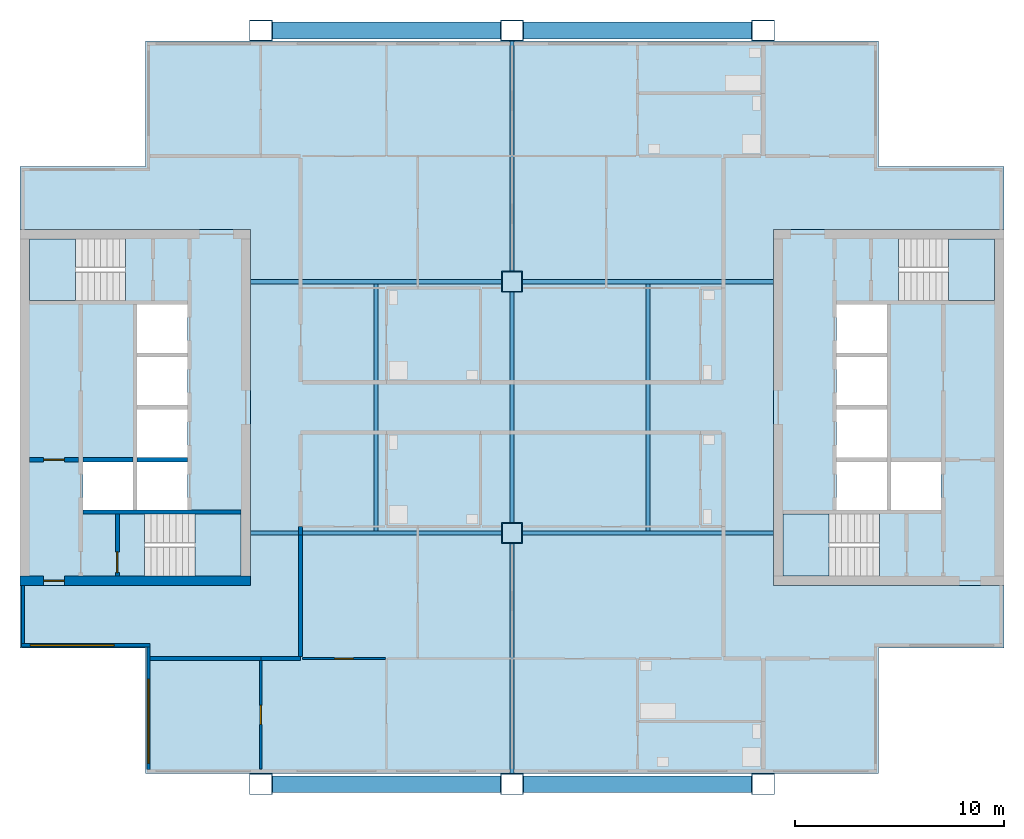
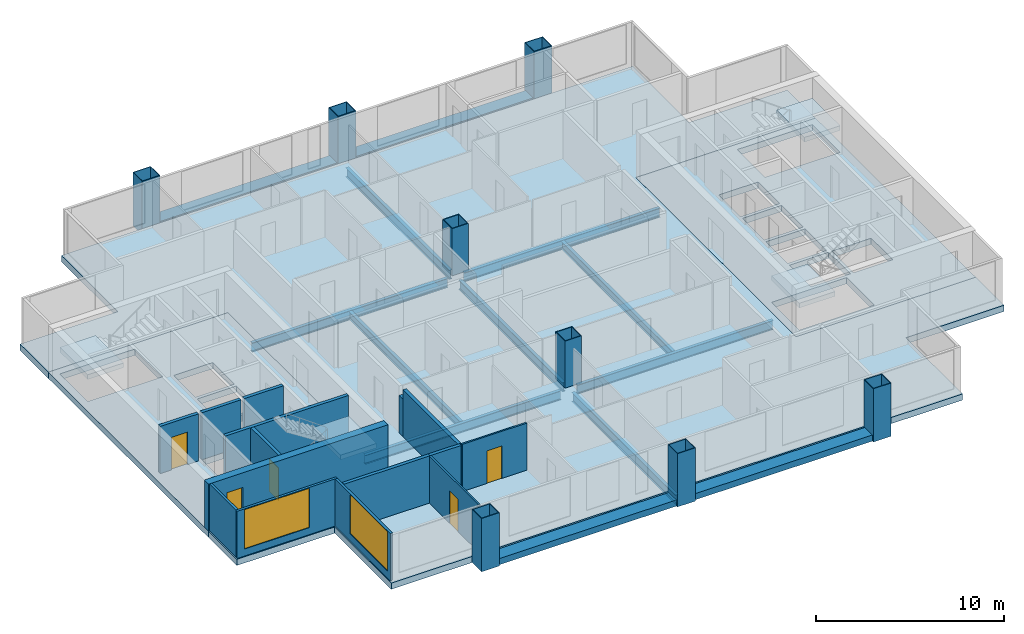
# One storey, part 1 of 8: 15 walls, 13 beams, 8 columns, 7 slabs, 5 doors, 2 windows, 7 openings, 4 elements without a shape of their own.
"""IFC4 building model written with IfcOpenShell, lengths in metres."""

from ifc_helpers import new_model, si_unit, direction, frame, frame_2d, origin, origin_2d, place, context, subcontext, project, spatial, polyline, rectangle, hollow_rectangle, i_section, outline, extrude, material, layer, layer_set, material_profile, profile_set, type_object, element, fill, aggregate, save


model = new_model("IFC4")

# Units and contexts
model_context = context("Model", 3, precision=1e-05, world=origin(), true_north=direction((0.0, 1.0)))
body_context = subcontext(model_context, "Body", "Model", "MODEL_VIEW")
ifc_project = project(units=[si_unit("LENGTHUNIT", "METRE"), si_unit("AREAUNIT", "SQUARE_METRE"), si_unit("VOLUMEUNIT", "CUBIC_METRE"), si_unit("PLANEANGLEUNIT", "RADIAN"), si_unit("MASSUNIT", "GRAM", prefix="KILO")], contexts=[model_context])

# Site, building, storey
site_placement = place(None, origin())
site = spatial("IfcSite", under=ifc_project, at=site_placement, CompositionType="ELEMENT")
building_placement = place(site_placement, origin())
building = spatial("IfcBuilding", under=site, at=building_placement, Name="Kitamizu Gate Tower and Museum", CompositionType="ELEMENT")
storey_placement = place(building_placement, frame((0.0, 0.0, 235.199951171875)))
storey = spatial("IfcBuildingStorey", under=building, at=storey_placement, Name="L63", CompositionType="ELEMENT", Elevation=235.199951171875)

# Columns
ifc_material_1 = material(Name="Steel SM490A bronze coated", Category="steel")
ifc_material_profile_1 = material_profile(ifc_material_1, hollow_rectangle(XDim=1.10009765625, YDim=1.0, WallThickness=0.0400390625, at=origin_2d()), Name="BOX 1100x1000x40")
ifc_profile_set_1 = profile_set([ifc_material_profile_1], Name="Steel SM490A bronze coated")
column_type_1 = type_object("IfcColumnType", Name="Exoskeleton column XC8 BOX 1100x1000x40", PredefinedType="COLUMN", material=ifc_profile_set_1)
for number, where, z_axis, x_axis, name in (
    (1, (24.0, 12.0, -0.39990234375), (0.0, 0.0, 1.0), (1.0, 0.0, 0.0), "Column XC8 3B L63"),
    (2, (24.0, 48.0, -0.39990234375), (0.0, 0.0, 1.0), (1.0, 0.0, 0.0), "Column XC8 3E L63"),
    (3, (36.0, 12.0, -0.39990234375), (0.0, 0.0, 1.0), (1.0, 0.0, 0.0), "Column XC8 4B L63"),
    (4, (36.0, 48.0, -0.39990234375), (0.0, 0.0, 1.0), (1.0, 0.0, 0.0), "Column XC8 4E L63"),
    (5, (48.0, 12.0, -0.39990234375), (0.0, 0.0, 1.0), (1.0, 0.0, 0.0), "Column XC8 5B L63"),
    (6, (48.0, 48.0, -0.39990234375), (0.0, 0.0, 1.0), (1.0, 0.0, 0.0), "Column XC8 5E L63"),
):
    element("IfcColumn", number, at=place(storey_placement, frame(where, z_axis=z_axis, x_axis=x_axis)), inside=storey, type_object=column_type_1, Name=name, PredefinedType="COLUMN", context=body_context, shape_type="SweptSolid", body=[
        extrude(hollow_rectangle(XDim=1.10009765625, YDim=1.0, WallThickness=0.0400390625, at=origin_2d()), origin(), (0.0, 0.0, 1.0), 3.449951171875),
    ])
ifc_material_2 = material(Name="Steel SM490A", Category="steel")
ifc_material_profile_2 = material_profile(ifc_material_2, hollow_rectangle(XDim=1.0, YDim=1.0, WallThickness=0.0400390625, at=origin_2d()), Name="BOX 1000x1000x40")
ifc_profile_set_2 = profile_set([ifc_material_profile_2], Name="Steel SM490A")
column_type_2 = type_object("IfcColumnType", Name="Interior column IC5 BOX 1000x1000x40", PredefinedType="COLUMN", material=ifc_profile_set_2)
for number, where, z_axis, x_axis, name in (
    (7, (36.0, 24.0, 0.0), (0.0, 0.0, 1.0), (1.0, 0.0, 0.0), "Column IC5 4C L63"),
    (8, (36.0, 36.0, 0.0), (0.0, 0.0, 1.0), (1.0, 0.0, 0.0), "Column IC5 4D L63"),
):
    element("IfcColumn", number, at=place(storey_placement, frame(where, z_axis=z_axis, x_axis=x_axis)), inside=storey, type_object=column_type_2, Name=name, PredefinedType="COLUMN", context=body_context, shape_type="SweptSolid", body=[
        extrude(hollow_rectangle(XDim=1.0, YDim=1.0, WallThickness=0.0400390625, at=origin_2d()), origin(), (0.0, 0.0, 1.0), 3.050048828125),
    ])

# Beams
ifc_material_3 = material(Name="Steel SM490A bronze coated", Category="steel")
ifc_material_profile_3 = material_profile(ifc_material_3, hollow_rectangle(XDim=0.800048828125, YDim=0.39990234375, WallThickness=0.0400390625, at=origin_2d()), Name="BOX 800x400x40")
ifc_profile_set_3 = profile_set([ifc_material_profile_3], Name="Steel SM490A bronze coated")
beam_type_1 = type_object("IfcBeamType", Name="Exoskeleton spandrel beam SB1 BOX 800x400x40", PredefinedType="SPANDREL", material=ifc_profile_set_3)
for number, where, z_axis, x_axis, name in (
    (9, (24.550048828125, 12.0, -0.199951171875), (1.0, 0.0, 0.0), (0.0, 1.0, 0.0), "Exoskeleton spandrel beam south 24 L63"),
    (10, (36.550048828125, 12.0, -0.199951171875), (1.0, 0.0, 0.0), (0.0, 1.0, 0.0), "Exoskeleton spandrel beam south 36 L63"),
    (11, (24.550048828125, 48.0, -0.199951171875), (1.0, 0.0, 0.0), (0.0, 1.0, 0.0), "Exoskeleton spandrel beam north 24 L63"),
    (12, (36.550048828125, 48.0, -0.199951171875), (1.0, 0.0, 0.0), (0.0, 1.0, 0.0), "Exoskeleton spandrel beam north 36 L63"),
):
    element("IfcBeam", number, at=place(storey_placement, frame(where, z_axis=z_axis, x_axis=x_axis)), inside=storey, type_object=beam_type_1, Name=name, PredefinedType="SPANDREL", context=body_context, shape_type="SweptSolid", body=[
        extrude(hollow_rectangle(XDim=0.800048828125, YDim=0.39990234375, WallThickness=0.0400390625, at=origin_2d()), origin(), (0.0, 0.0, 1.0), 10.89990234375),
    ])
ifc_material_4 = material(Name="Steel SM490A", Category="steel")
ifc_material_profile_4 = material_profile(ifc_material_4, i_section(OverallWidth=0.199951171875, OverallDepth=0.5, WebThickness=0.010009765625, FlangeThickness=0.01611328125, FilletRadius=0.02001953125, at=origin_2d()), Name="H-500x200x10x16")
ifc_profile_set_4 = profile_set([ifc_material_profile_4], Name="Steel SM490A")
beam_type_2 = type_object("IfcBeamType", Name="Floor beam FB1 H 500x200x10x16", PredefinedType="BEAM", material=ifc_profile_set_4)
for number, where, z_axis, x_axis, name in (
    (13, (29.5, 24.10009765625, -0.64990234375), (0.0, 1.0, 0.0), (-1.0, 0.0, 0.0), "Floor beam FB1 L63-1"),
    (14, (42.5, 24.10009765625, -0.64990234375), (0.0, 1.0, 0.0), (-1.0, 0.0, 0.0), "Floor beam FB1 L63-2"),
):
    element("IfcBeam", number, at=place(storey_placement, frame(where, z_axis=z_axis, x_axis=x_axis)), inside=storey, type_object=beam_type_2, Name=name, PredefinedType="BEAM", context=body_context, shape_type="SweptSolid", body=[
        extrude(i_section(OverallWidth=0.199951171875, OverallDepth=0.5, WebThickness=0.010009765625, FlangeThickness=0.01611328125, FilletRadius=0.02001953125, at=origin_2d()), origin(), (0.0, 0.0, 1.0), 11.7998046875),
    ])
ifc_material_5 = material(Name="Steel SM490A", Category="steel")
ifc_material_profile_5 = material_profile(ifc_material_5, i_section(OverallWidth=0.199951171875, OverallDepth=0.60009765625, WebThickness=0.010986328125, FlangeThickness=0.01708984375, FilletRadius=0.02197265625, at=origin_2d()), Name="H-600x200x11x17")
ifc_profile_set_5 = profile_set([ifc_material_profile_5], Name="Steel SM490A")
beam_type_3 = type_object("IfcBeamType", Name="Floor girder FG1 H 600x200x11x17", PredefinedType="BEAM", material=ifc_profile_set_5)
for number, where, z_axis, x_axis, name in (
    (15, (36.0, 12.5, -0.699951171875), (0.0, 1.0, 0.0), (-1.0, 0.0, 0.0), "Floor girder FG1 x36 L63"),
    (16, (36.0, 24.5, -0.699951171875), (0.0, 1.0, 0.0), (-1.0, 0.0, 0.0), "Floor girder FG1 x36 L63"),
    (17, (36.0, 36.5, -0.699951171875), (0.0, 1.0, 0.0), (-1.0, 0.0, 0.0), "Floor girder FG1 x36 L63"),
):
    element("IfcBeam", number, at=place(storey_placement, frame(where, z_axis=z_axis, x_axis=x_axis)), inside=storey, type_object=beam_type_3, Name=name, PredefinedType="BEAM", context=body_context, shape_type="SweptSolid", body=[
        extrude(i_section(OverallWidth=0.199951171875, OverallDepth=0.60009765625, WebThickness=0.010986328125, FlangeThickness=0.01708984375, FilletRadius=0.02197265625, at=origin_2d()), origin(), (0.0, 0.0, 1.0), 11.0),
    ])
for number, where, z_axis, x_axis, name in (
    (18, (23.5, 24.0, -0.699951171875), (1.0, 0.0, 0.0), (0.0, 1.0, 0.0), "Floor girder FG1 y24 L63"),
    (19, (36.5, 24.0, -0.699951171875), (1.0, 0.0, 0.0), (0.0, 1.0, 0.0), "Floor girder FG1 y24 L63"),
    (20, (23.5, 36.0, -0.699951171875), (1.0, 0.0, 0.0), (0.0, 1.0, 0.0), "Floor girder FG1 y36 L63"),
    (21, (36.5, 36.0, -0.699951171875), (1.0, 0.0, 0.0), (0.0, 1.0, 0.0), "Floor girder FG1 y36 L63"),
):
    element("IfcBeam", number, at=place(storey_placement, frame(where, z_axis=z_axis, x_axis=x_axis)), inside=storey, type_object=beam_type_3, Name=name, PredefinedType="BEAM", context=body_context, shape_type="SweptSolid", body=[
        extrude(i_section(OverallWidth=0.199951171875, OverallDepth=0.60009765625, WebThickness=0.010986328125, FlangeThickness=0.01708984375, FilletRadius=0.02197265625, at=origin_2d()), origin(), (0.0, 0.0, 1.0), 12.0),
    ])

# Slabs
ifc_material_6 = material(Name="Concrete Fc36", Category="concrete")
ifc_layer_1 = layer(ifc_material_6, 0.39990234375)
ifc_layer_set_1 = layer_set([ifc_layer_1], Name="Concrete Fc36")
slab_type_1 = type_object("IfcSlabType", Name="Core floor slab 400", PredefinedType="FLOOR", material=ifc_layer_set_1)
slab_1_placement = place(storey_placement, frame((0.0, 0.0, -0.39990234375)))
element("IfcSlab", 22, at=slab_1_placement, inside=storey, type_object=slab_type_1, Name="Core floor slab W", PredefinedType="FLOOR", context=body_context, shape_type="SweptSolid", body=[
    extrude(outline(polyline([(12.5, 21.5), (23.5, 21.5), (23.5, 38.5), (12.5, 38.5), (12.5, 21.5)]), holes=[polyline([(15.5, 25.10009765625), (17.89990234375, 25.10009765625), (17.89990234375, 27.39990234375), (15.5, 27.39990234375), (15.5, 25.10009765625)]), polyline([(18.10009765625, 25.10009765625), (20.5, 25.10009765625), (20.5, 27.39990234375), (18.10009765625, 27.39990234375), (18.10009765625, 25.10009765625)]), polyline([(18.10009765625, 27.60009765625), (20.5, 27.60009765625), (20.5, 29.89990234375), (18.10009765625, 29.89990234375), (18.10009765625, 27.60009765625)]), polyline([(18.10009765625, 30.10009765625), (20.5, 30.10009765625), (20.5, 32.39990234375), (18.10009765625, 32.39990234375), (18.10009765625, 30.10009765625)]), polyline([(18.10009765625, 32.60009765625), (20.5, 32.60009765625), (20.5, 34.89990234375), (18.10009765625, 34.89990234375), (18.10009765625, 32.60009765625)]), polyline([(18.45068359375, 21.949951171875), (23.050048828125, 21.949951171875), (23.050048828125, 24.89990234375), (18.45068359375, 24.89990234375), (18.45068359375, 21.949951171875)]), polyline([(12.949951171875, 35.10009765625), (17.54931640625, 35.10009765625), (17.54931640625, 38.050048828125), (12.949951171875, 38.050048828125), (12.949951171875, 35.10009765625)])]), origin(), (0.0, 0.0, 1.0), 0.39990234375),
])
slab_2_placement = place(storey_placement, frame((0.0, 0.0, -0.39990234375)))
element("IfcSlab", 23, at=slab_2_placement, inside=storey, type_object=slab_type_1, Name="Core floor slab E", PredefinedType="FLOOR", context=body_context, shape_type="SweptSolid", body=[
    extrude(outline(polyline([(48.5, 21.5), (59.5, 21.5), (59.5, 38.5), (48.5, 38.5), (48.5, 21.5)]), holes=[polyline([(54.10009765625, 25.10009765625), (56.5, 25.10009765625), (56.5, 27.39990234375), (54.10009765625, 27.39990234375), (54.10009765625, 25.10009765625)]), polyline([(51.5, 25.10009765625), (53.89990234375, 25.10009765625), (53.89990234375, 27.39990234375), (51.5, 27.39990234375), (51.5, 25.10009765625)]), polyline([(51.5, 27.60009765625), (53.89990234375, 27.60009765625), (53.89990234375, 29.89990234375), (51.5, 29.89990234375), (51.5, 27.60009765625)]), polyline([(51.5, 30.10009765625), (53.89990234375, 30.10009765625), (53.89990234375, 32.39990234375), (51.5, 32.39990234375), (51.5, 30.10009765625)]), polyline([(51.5, 32.60009765625), (53.89990234375, 32.60009765625), (53.89990234375, 34.89990234375), (51.5, 34.89990234375), (51.5, 32.60009765625)]), polyline([(48.949951171875, 21.949951171875), (53.54931640625, 21.949951171875), (53.54931640625, 24.89990234375), (48.949951171875, 24.89990234375), (48.949951171875, 21.949951171875)]), polyline([(54.45068359375, 35.10009765625), (59.050048828125, 35.10009765625), (59.050048828125, 38.050048828125), (54.45068359375, 38.050048828125), (54.45068359375, 35.10009765625)])]), origin(), (0.0, 0.0, 1.0), 0.39990234375),
])
ifc_material_7 = material(Name="Concrete Fc36", Category="concrete")
ifc_layer_2 = layer(ifc_material_7, 0.39990234375)
ifc_layer_set_2 = layer_set([ifc_layer_2], Name="Concrete Fc36")
slab_type_2 = type_object("IfcSlabType", Name="Post tensioned flat slab 400", PredefinedType="FLOOR", material=ifc_layer_set_2)
slab_3_placement = place(storey_placement, frame((0.0, 0.0, -0.39990234375)))
element("IfcSlab", 24, at=slab_3_placement, inside=storey, type_object=slab_type_2, Name="Floor slab L63-1", PredefinedType="FLOOR", context=body_context, shape_type="SweptSolid", body=[
    extrude(outline(polyline([(12.5, 18.5), (12.5, 21.5), (23.5, 21.5), (23.5, 38.5), (12.5, 38.5), (12.5, 41.5), (18.5, 41.5), (18.5, 47.5), (53.5, 47.5), (53.5, 41.5), (59.5, 41.5), (59.5, 38.5), (48.5, 38.5), (48.5, 21.5), (59.5, 21.5), (59.5, 18.5), (53.5, 18.5), (53.5, 12.5), (18.5, 12.5), (18.5, 18.5), (12.5, 18.5)])), origin(), (0.0, 0.0, 1.0), 0.39990234375),
])

# Stair, slab
ifc_material_8 = material(Name="Concrete Fc42", Category="concrete")
stair_type = type_object("IfcStairType", Name="Exit stair 1375 wide 192 rise 300 going", PredefinedType="HALF_TURN_STAIR", material=ifc_material_8)
stair_1_placement = place(storey_placement, origin())
stair_1 = element("IfcStair", 25, at=stair_1_placement, inside=storey, type_object=stair_type, Name="Exit stair ST1", PredefinedType="HALF_TURN_STAIR")
ifc_material_9 = material(Name="Concrete Fc42", Category="concrete")
ifc_layer_3 = layer(ifc_material_9, 0.300048828125)
ifc_layer_set_3 = layer_set([ifc_layer_3], Name="Concrete Fc42")
slab_type_3 = type_object("IfcSlabType", Name="Stair landing 300", PredefinedType="LANDING", material=ifc_layer_set_3)
slab_4_placement = place(storey_placement, frame((0.0, 0.0, 1.425048828125)))
slab_4 = element("IfcSlab", 26, at=slab_4_placement, type_object=slab_type_3, Name="ST1 landing 1", PredefinedType="LANDING", context=body_context, shape_type="SweptSolid", body=[
    extrude(outline(polyline([(20.85009765625, 21.949951171875), (23.050048828125, 21.949951171875), (23.050048828125, 24.89990234375), (20.85009765625, 24.89990234375), (20.85009765625, 21.949951171875)])), origin(), (0.0, 0.0, 1.0), 0.300048828125),
])
aggregate(stair_1, [slab_4])

stair_2_placement = place(storey_placement, origin())
stair_2 = element("IfcStair", 27, at=stair_2_placement, inside=storey, type_object=stair_type, Name="Exit stair ST2", PredefinedType="HALF_TURN_STAIR")
slab_5_placement = place(storey_placement, frame((0.0, 0.0, 1.425048828125)))
slab_5 = element("IfcSlab", 28, at=slab_5_placement, type_object=slab_type_3, Name="ST2 landing 1", PredefinedType="LANDING", context=body_context, shape_type="SweptSolid", body=[
    extrude(outline(polyline([(12.949951171875, 35.10009765625), (15.14990234375, 35.10009765625), (15.14990234375, 38.050048828125), (12.949951171875, 38.050048828125), (12.949951171875, 35.10009765625)])), origin(), (0.0, 0.0, 1.0), 0.300048828125),
])
aggregate(stair_2, [slab_5])

stair_3_placement = place(storey_placement, origin())
stair_3 = element("IfcStair", 29, at=stair_3_placement, inside=storey, type_object=stair_type, Name="Exit stair ST3", PredefinedType="HALF_TURN_STAIR")
slab_6_placement = place(storey_placement, frame((0.0, 0.0, 1.425048828125)))
slab_6 = element("IfcSlab", 30, at=slab_6_placement, type_object=slab_type_3, Name="ST3 landing 1", PredefinedType="LANDING", context=body_context, shape_type="SweptSolid", body=[
    extrude(outline(polyline([(48.949951171875, 21.949951171875), (51.14990234375, 21.949951171875), (51.14990234375, 24.89990234375), (48.949951171875, 24.89990234375), (48.949951171875, 21.949951171875)])), origin(), (0.0, 0.0, 1.0), 0.300048828125),
])
aggregate(stair_3, [slab_6])

stair_4_placement = place(storey_placement, origin())
stair_4 = element("IfcStair", 31, at=stair_4_placement, inside=storey, type_object=stair_type, Name="Exit stair ST4", PredefinedType="HALF_TURN_STAIR")
slab_7_placement = place(storey_placement, frame((0.0, 0.0, 1.425048828125)))
slab_7 = element("IfcSlab", 32, at=slab_7_placement, type_object=slab_type_3, Name="ST4 landing 1", PredefinedType="LANDING", context=body_context, shape_type="SweptSolid", body=[
    extrude(outline(polyline([(56.85009765625, 35.10009765625), (59.050048828125, 35.10009765625), (59.050048828125, 38.050048828125), (56.85009765625, 38.050048828125), (56.85009765625, 35.10009765625)])), origin(), (0.0, 0.0, 1.0), 0.300048828125),
])
aggregate(stair_4, [slab_7])

# Wall, opening, door
ifc_material_10 = material(Name="Concrete Fc42", Category="concrete")
ifc_layer_4 = layer(ifc_material_10, 0.449951171875)
ifc_layer_set_4 = layer_set([ifc_layer_4], Name="Concrete Fc42")
wall_type_1 = type_object("IfcWallType", Name="Core wall 450", PredefinedType="SHEAR", material=ifc_layer_set_4)
wall_1_placement = place(storey_placement, frame((12.5, 21.72509765625, 0.0), z_axis=(0.0, 0.0, 1.0), x_axis=(1.0, 0.0, 0.0)))
wall_1 = element("IfcWall", 33, at=wall_1_placement, inside=storey, type_object=wall_type_1, Name="Core wall WS", PredefinedType="SHEAR", context=body_context, shape_type="SweptSolid", body=[
    extrude(rectangle(XDim=11.0, YDim=0.449951171875, at=frame_2d((5.5, 0.0))), origin(), (0.0, 0.0, 1.0), 3.050048828125),
])
opening_1_placement = place(wall_1_placement, frame((1.125, 0.0, 0.0)))
opening_1 = element("IfcOpeningElement", 34, at=opening_1_placement, cuts=wall_1, Name="Opening L63-035", PredefinedType="OPENING", context=body_context, shape_type="SweptSolid", body=[
    extrude(rectangle(XDim=1.0, YDim=2.10009765625, at=frame_2d((0.5, 1.050048828125))), frame((0.0, 0.23486328125, 0.0), z_axis=(0.0, -1.0, 0.0), x_axis=(1.0, 0.0, 0.0)), (0.0, 0.0, 1.0), 0.469970703125),
])
ifc_material_11 = material(Name="Hollow metal door set")
door_type_1 = type_object("IfcDoorType", Name="Fire door 1000", OperationType="NOTDEFINED", PredefinedType="DOOR", material=ifc_material_11)
door_1_placement = place(opening_1_placement, origin())
door_1 = element("IfcDoor", 35, at=door_1_placement, inside=storey, type_object=door_type_1, Name="Fire-fighting lobby door L63-035", OperationType="SINGLE_SWING_RIGHT", OverallHeight=2.10009765625, OverallWidth=1.0, PredefinedType="DOOR", context=body_context, shape_type="SweptSolid", body=[
    extrude(rectangle(XDim=1.0, YDim=2.10009765625, at=frame_2d((0.5, 1.050048828125))), frame((0.0, 0.02490234375, 0.0), z_axis=(0.0, -1.0, 0.0), x_axis=(1.0, 0.0, 0.0)), (0.0, 0.0, 1.0), 0.050048828125),
])
fill(opening_1, door_1)

ifc_material_12 = material(Name="Gypsum board on galvanised stud")
ifc_layer_5 = layer(ifc_material_12, 0.10009765625)
ifc_layer_set_5 = layer_set([ifc_layer_5], Name="Gypsum board on galvanised stud")
wall_type_2 = type_object("IfcWallType", Name="Partition 100 NOT RATED", PredefinedType="PARTITIONING", material=ifc_layer_set_5)
wall_2_placement = place(storey_placement, frame((24.0, 12.719970703125, 0.0), z_axis=(0.0, 0.0, 1.0), x_axis=(0.0, 1.0, 0.0)))
wall_2 = element("IfcWall", 36, at=wall_2_placement, inside=storey, type_object=wall_type_2, Name="Partition L63-001", PredefinedType="PARTITIONING", context=body_context, shape_type="SweptSolid", body=[
    extrude(rectangle(XDim=5.179931640625, YDim=0.10009765625, at=frame_2d((2.58984375, 0.0))), origin(), (0.0, 0.0, 1.0), 3.050048828125),
])
opening_2_placement = place(wall_2_placement, frame((2.139892578125, 0.0, 0.0)))
opening_2 = element("IfcOpeningElement", 37, at=opening_2_placement, cuts=wall_2, Name="Opening L63-006", PredefinedType="OPENING", context=body_context, shape_type="SweptSolid", body=[
    extrude(rectangle(XDim=0.89990234375, YDim=2.10009765625, at=frame_2d((0.449951171875, 1.050048828125))), frame((0.0, 0.06005859375, 0.0), z_axis=(0.0, -1.0, 0.0), x_axis=(1.0, 0.0, 0.0)), (0.0, 0.0, 1.0), 0.1201171875),
])
ifc_material_13 = material(Name="Timber door set", Category="wood")
door_type_2 = type_object("IfcDoorType", Name="Room door 900", OperationType="NOTDEFINED", PredefinedType="DOOR", material=ifc_material_13)
door_2_placement = place(opening_2_placement, origin())
door_2 = element("IfcDoor", 38, at=door_2_placement, inside=storey, type_object=door_type_2, Name="Door L63-006", OperationType="SINGLE_SWING_LEFT", OverallHeight=2.10009765625, OverallWidth=0.89990234375, PredefinedType="DOOR", context=body_context, shape_type="SweptSolid", body=[
    extrude(rectangle(XDim=0.89990234375, YDim=2.10009765625, at=frame_2d((0.449951171875, 1.050048828125))), frame((0.0, 0.02490234375, 0.0), z_axis=(0.0, -1.0, 0.0), x_axis=(1.0, 0.0, 0.0)), (0.0, 0.0, 1.0), 0.050048828125),
])
fill(opening_2, door_2)

wall_3_placement = place(storey_placement, frame((29.949951171875, 18.0, 0.0), z_axis=(0.0, 0.0, 1.0), x_axis=(-1.0, 0.0, 0.0)))
wall_3 = element("IfcWall", 39, at=wall_3_placement, inside=storey, type_object=wall_type_2, Name="Partition L63-004", PredefinedType="PARTITIONING", context=body_context, shape_type="SweptSolid", body=[
    extrude(rectangle(XDim=3.949951171875, YDim=0.10009765625, at=frame_2d((1.97509765625, 0.0))), origin(), (0.0, 0.0, 1.0), 3.050048828125),
])
opening_3_placement = place(wall_3_placement, frame((1.52490234375, 0.0, 0.0)))
opening_3 = element("IfcOpeningElement", 40, at=opening_3_placement, cuts=wall_3, Name="Opening L63-003", PredefinedType="OPENING", context=body_context, shape_type="SweptSolid", body=[
    extrude(rectangle(XDim=0.89990234375, YDim=2.10009765625, at=frame_2d((0.449951171875, 1.050048828125))), frame((0.0, 0.06005859375, 0.0), z_axis=(0.0, -1.0, 0.0), x_axis=(1.0, 0.0, 0.0)), (0.0, 0.0, 1.0), 0.1201171875),
])
door_3_placement = place(opening_3_placement, origin())
door_3 = element("IfcDoor", 41, at=door_3_placement, inside=storey, type_object=door_type_2, Name="Door L63-003", OperationType="SINGLE_SWING_RIGHT", OverallHeight=2.10009765625, OverallWidth=0.89990234375, PredefinedType="DOOR", context=body_context, shape_type="SweptSolid", body=[
    extrude(rectangle(XDim=0.89990234375, YDim=2.10009765625, at=frame_2d((0.449951171875, 1.050048828125))), frame((0.0, 0.02490234375, 0.0), z_axis=(0.0, -1.0, 0.0), x_axis=(1.0, 0.0, 0.0)), (0.0, 0.0, 1.0), 0.050048828125),
])
fill(opening_3, door_3)

# Walls
ifc_material_14 = material(Name="Gypsum board on galvanised stud")
ifc_layer_6 = layer(ifc_material_14, 0.199951171875)
ifc_layer_set_6 = layer_set([ifc_layer_6], Name="Gypsum board on galvanised stud")
wall_type_3 = type_object("IfcWallType", Name="Partition 200", PredefinedType="PARTITIONING", material=ifc_layer_set_6)
wall_4_placement = place(storey_placement, frame((24.0, 18.0, 0.0), z_axis=(0.0, 0.0, 1.0), x_axis=(-1.0, 0.0, 0.0)))
element("IfcWall", 42, at=wall_4_placement, inside=storey, type_object=wall_type_3, Name="Partition L63-002", PredefinedType="PARTITIONING", context=body_context, shape_type="SweptSolid", body=[
    extrude(rectangle(XDim=5.280029296875, YDim=0.199951171875, at=frame_2d((2.64013671875, 0.0))), origin(), (0.0, 0.0, 1.0), 3.050048828125),
])
wall_5_placement = place(storey_placement, frame((25.89990234375, 18.0, 0.0), z_axis=(0.0, 0.0, 1.0), x_axis=(-1.0, 0.0, 0.0)))
element("IfcWall", 43, at=wall_5_placement, inside=storey, type_object=wall_type_3, Name="Partition L63-005", PredefinedType="PARTITIONING", context=body_context, shape_type="SweptSolid", body=[
    extrude(rectangle(XDim=1.89990234375, YDim=0.199951171875, at=frame_2d((0.949951171875, 0.0))), origin(), (0.0, 0.0, 1.0), 3.050048828125),
])
wall_6_placement = place(storey_placement, frame((25.89990234375, 24.300048828125, 0.0), z_axis=(0.0, 0.0, 1.0), x_axis=(0.0, -1.0, 0.0)))
element("IfcWall", 44, at=wall_6_placement, inside=storey, type_object=wall_type_3, Name="Partition L63-020", PredefinedType="PARTITIONING", context=body_context, shape_type="SweptSolid", body=[
    extrude(rectangle(XDim=0.400146484375, YDim=0.199951171875, at=frame_2d((0.2001953125, 0.0))), origin(), (0.0, 0.0, 1.0), 2.449951171875),
])
wall_7_placement = place(storey_placement, frame((25.89990234375, 23.89990234375, 0.0), z_axis=(0.0, 0.0, 1.0), x_axis=(0.0, -1.0, 0.0)))
element("IfcWall", 45, at=wall_7_placement, inside=storey, type_object=wall_type_3, Name="Partition L63-021", PredefinedType="PARTITIONING", context=body_context, shape_type="SweptSolid", body=[
    extrude(rectangle(XDim=5.7998046875, YDim=0.199951171875, at=frame_2d((2.89990234375, 0.0))), origin(), (0.0, 0.0, 1.0), 3.050048828125),
])
ifc_material_15 = material(Name="Concrete Fc42", Category="concrete")
ifc_layer_7 = layer(ifc_material_15, 0.199951171875)
ifc_layer_set_7 = layer_set([ifc_layer_7], Name="Concrete Fc42")
wall_type_4 = type_object("IfcWallType", Name="Shaft wall 200", PredefinedType="SOLIDWALL", material=ifc_layer_set_7)
wall_8_placement = place(storey_placement, frame((15.5, 25.0, 0.0), z_axis=(0.0, 0.0, 1.0), x_axis=(1.0, 0.0, 0.0)))
element("IfcWall", 46, at=wall_8_placement, inside=storey, type_object=wall_type_4, Name="Shaft wall WSB", PredefinedType="SOLIDWALL", context=body_context, shape_type="SweptSolid", body=[
    extrude(rectangle(XDim=7.550048828125, YDim=0.199951171875, at=frame_2d((3.77490234375, 0.0))), origin(), (0.0, 0.0, 1.0), 3.050048828125),
])

# Wall, opening, door
wall_9_placement = place(storey_placement, frame((12.949951171875, 27.5, 0.0), z_axis=(0.0, 0.0, 1.0), x_axis=(1.0, 0.0, 0.0)))
wall_9 = element("IfcWall", 47, at=wall_9_placement, inside=storey, type_object=wall_type_4, Name="Shaft wall WFFN", PredefinedType="SOLIDWALL", context=body_context, shape_type="SweptSolid", body=[
    extrude(rectangle(XDim=2.35009765625, YDim=0.199951171875, at=frame_2d((1.175048828125, 0.0))), origin(), (0.0, 0.0, 1.0), 3.050048828125),
])
opening_4_placement = place(wall_9_placement, frame((0.675048828125, 0.0, 0.0)))
opening_4 = element("IfcOpeningElement", 48, at=opening_4_placement, cuts=wall_9, Name="Opening L63-034", PredefinedType="OPENING", context=body_context, shape_type="SweptSolid", body=[
    extrude(rectangle(XDim=1.0, YDim=2.10009765625, at=frame_2d((0.5, 1.050048828125))), frame((0.0, 0.10986328125, 0.0), z_axis=(0.0, -1.0, 0.0), x_axis=(1.0, 0.0, 0.0)), (0.0, 0.0, 1.0), 0.219970703125),
])
door_4_placement = place(opening_4_placement, frame((1.0, 0.0, 0.0), x_axis=(-1.0, 0.0, 0.0)))
door_4 = element("IfcDoor", 49, at=door_4_placement, inside=storey, type_object=door_type_1, Name="Fire-fighting lobby door L63-034", OperationType="SINGLE_SWING_RIGHT", OverallHeight=2.10009765625, OverallWidth=1.0, PredefinedType="DOOR", context=body_context, shape_type="SweptSolid", body=[
    extrude(rectangle(XDim=1.0, YDim=2.10009765625, at=frame_2d((0.5, 1.050048828125))), frame((0.0, 0.02490234375, 0.0), z_axis=(0.0, -1.0, 0.0), x_axis=(1.0, 0.0, 0.0)), (0.0, 0.0, 1.0), 0.050048828125),
])
fill(opening_4, door_4)

wall_10_placement = place(storey_placement, frame((17.14990234375, 21.949951171875, 0.0), z_axis=(0.0, 0.0, 1.0), x_axis=(0.0, 1.0, 0.0)))
wall_10 = element("IfcWall", 50, at=wall_10_placement, inside=storey, type_object=wall_type_4, Name="Shaft wall WSZ", PredefinedType="SOLIDWALL", context=body_context, shape_type="SweptSolid", body=[
    extrude(rectangle(XDim=2.949951171875, YDim=0.199951171875, at=frame_2d((1.47509765625, 0.0))), origin(), (0.0, 0.0, 1.0), 3.050048828125),
])
opening_5_placement = place(wall_10_placement, frame((0.14990234375, 0.0, 0.0)))
opening_5 = element("IfcOpeningElement", 51, at=opening_5_placement, cuts=wall_10, Name="Opening L63-030", PredefinedType="OPENING", context=body_context, shape_type="SweptSolid", body=[
    extrude(rectangle(XDim=1.0, YDim=2.10009765625, at=frame_2d((0.5, 1.050048828125))), frame((0.0, 0.10986328125, 0.0), z_axis=(0.0, -1.0, 0.0), x_axis=(1.0, 0.0, 0.0)), (0.0, 0.0, 1.0), 0.219970703125),
])
door_5_placement = place(opening_5_placement, frame((1.0, 0.0, 0.0), x_axis=(-1.0, 0.0, 0.0)))
door_5 = element("IfcDoor", 52, at=door_5_placement, inside=storey, type_object=door_type_1, Name="Stair door L63-030", OperationType="SINGLE_SWING_LEFT", OverallHeight=2.10009765625, OverallWidth=1.0, PredefinedType="DOOR", context=body_context, shape_type="SweptSolid", body=[
    extrude(rectangle(XDim=1.0, YDim=2.10009765625, at=frame_2d((0.5, 1.050048828125))), frame((0.0, 0.02490234375, 0.0), z_axis=(0.0, -1.0, 0.0), x_axis=(1.0, 0.0, 0.0)), (0.0, 0.0, 1.0), 0.050048828125),
])
fill(opening_5, door_5)

# Walls
for number, where, z_axis, x_axis, name in (
    (53, (15.5, 27.5, 0.0), (0.0, 0.0, 1.0), (1.0, 0.0, 0.0), "Shaft wall WDVW0"),
    (54, (18.10009765625, 27.5, 0.0), (0.0, 0.0, 1.0), (1.0, 0.0, 0.0), "Shaft wall WDVE0"),
):
    element("IfcWall", number, at=place(storey_placement, frame(where, z_axis=z_axis, x_axis=x_axis)), inside=storey, type_object=wall_type_4, Name=name, PredefinedType="SOLIDWALL", context=body_context, shape_type="SweptSolid", body=[
        extrude(rectangle(XDim=2.39990234375, YDim=0.199951171875, at=frame_2d((1.199951171875, 0.0))), origin(), (0.0, 0.0, 1.0), 3.050048828125),
    ])
ifc_material_16 = material(Name="Bronze anodised aluminium frame with insulated spandrel and tinted glass", Category="aluminium")
ifc_layer_8 = layer(ifc_material_16, 0.14990234375)
ifc_layer_set_8 = layer_set([ifc_layer_8], Name="Bronze anodised aluminium frame with insulated spandrel and tinted glass")
wall_type_5 = type_object("IfcWallType", Name="WINDOW WALL 150 BRONZE FRAME EI 30", PredefinedType="ELEMENTEDWALL", material=ifc_layer_set_8)
wall_11_placement = place(storey_placement, frame((12.635009765625, 18.7099609375, 0.0), z_axis=(0.0, 0.0, 1.0), x_axis=(0.0, 1.0, 0.0)))
element("IfcWall", 55, at=wall_11_placement, inside=storey, type_object=wall_type_5, Name="Window wall west L63", PredefinedType="ELEMENTEDWALL", context=body_context, shape_type="SweptSolid", body=[
    extrude(rectangle(XDim=2.7900390625, YDim=0.14990234375, at=frame_2d((1.39501953125, 0.0))), origin(), (0.0, 0.0, 1.0), 3.050048828125),
])

# Wall, opening, window
wall_12_placement = place(storey_placement, frame((12.56005859375, 18.635009765625, 0.0), z_axis=(0.0, 0.0, 1.0), x_axis=(1.0, 0.0, 0.0)))
wall_12 = element("IfcWall", 56, at=wall_12_placement, inside=storey, type_object=wall_type_5, Name="Window wall south L63", PredefinedType="ELEMENTEDWALL", context=body_context, shape_type="SweptSolid", body=[
    extrude(rectangle(XDim=6.14990234375, YDim=0.14990234375, at=frame_2d((3.074951171875, 0.0))), origin(), (0.0, 0.0, 1.0), 3.050048828125),
])
opening_6_placement = place(wall_12_placement, frame((0.43994140625, 0.0, 0.449951171875)))
opening_6 = element("IfcOpeningElement", 57, at=opening_6_placement, cuts=wall_12, Name="Opening W16", PredefinedType="OPENING", context=body_context, shape_type="SweptSolid", body=[
    extrude(rectangle(XDim=4.0, YDim=2.550048828125, at=frame_2d((2.0, 1.27490234375))), frame((0.0, 0.0849609375, 0.0), z_axis=(0.0, -1.0, 0.0), x_axis=(1.0, 0.0, 0.0)), (0.0, 0.0, 1.0), 0.169921875),
])
ifc_material_17 = material(Name="Bronze anodised aluminium frame, tinted triple glazing", Category="aluminium")
window_type = type_object("IfcWindowType", Name="WINDOW 4000 x 2550 SILL 450", PartitioningType="SINGLE_PANEL", PredefinedType="WINDOW", material=ifc_material_17)
window_1_placement = place(opening_6_placement, origin())
window_1 = element("IfcWindow", 58, at=window_1_placement, inside=storey, type_object=window_type, Name="Window W16 L63", OverallHeight=2.550048828125, OverallWidth=4.0, PartitioningType="SINGLE_PANEL", PredefinedType="WINDOW", context=body_context, shape_type="SweptSolid", body=[
    extrude(rectangle(XDim=4.0, YDim=2.550048828125, at=frame_2d((2.0, 1.27490234375))), frame((0.0, 0.030029296875, 0.0), z_axis=(0.0, -1.0, 0.0), x_axis=(1.0, 0.0, 0.0)), (0.0, 0.0, 1.0), 0.06005859375),
])
fill(opening_6, window_1)

wall_13_placement = place(storey_placement, frame((18.635009765625, 12.7099609375, 0.0), z_axis=(0.0, 0.0, 1.0), x_axis=(0.0, 1.0, 0.0)))
wall_13 = element("IfcWall", 59, at=wall_13_placement, inside=storey, type_object=wall_type_5, Name="Window wall west L63", PredefinedType="ELEMENTEDWALL", context=body_context, shape_type="SweptSolid", body=[
    extrude(rectangle(XDim=5.85009765625, YDim=0.14990234375, at=frame_2d((2.925048828125, 0.0))), origin(), (0.0, 0.0, 1.0), 3.050048828125),
])
opening_7_placement = place(wall_13_placement, frame((0.2900390625, 0.0, 0.449951171875)))
opening_7 = element("IfcOpeningElement", 60, at=opening_7_placement, cuts=wall_13, Name="Opening W16", PredefinedType="OPENING", context=body_context, shape_type="SweptSolid", body=[
    extrude(rectangle(XDim=4.0, YDim=2.550048828125, at=frame_2d((2.0, 1.27490234375))), frame((0.0, 0.0849609375, 0.0), z_axis=(0.0, -1.0, 0.0), x_axis=(1.0, 0.0, 0.0)), (0.0, 0.0, 1.0), 0.169921875),
])
window_2_placement = place(opening_7_placement, origin())
window_2 = element("IfcWindow", 61, at=window_2_placement, inside=storey, type_object=window_type, Name="Window W16 L63", OverallHeight=2.550048828125, OverallWidth=4.0, PartitioningType="SINGLE_PANEL", PredefinedType="WINDOW", context=body_context, shape_type="SweptSolid", body=[
    extrude(rectangle(XDim=4.0, YDim=2.550048828125, at=frame_2d((2.0, 1.27490234375))), frame((0.0, 0.030029296875, 0.0), z_axis=(0.0, -1.0, 0.0), x_axis=(1.0, 0.0, 0.0)), (0.0, 0.0, 1.0), 0.06005859375),
])
fill(opening_7, window_2)

save(model, "model.ifc")
